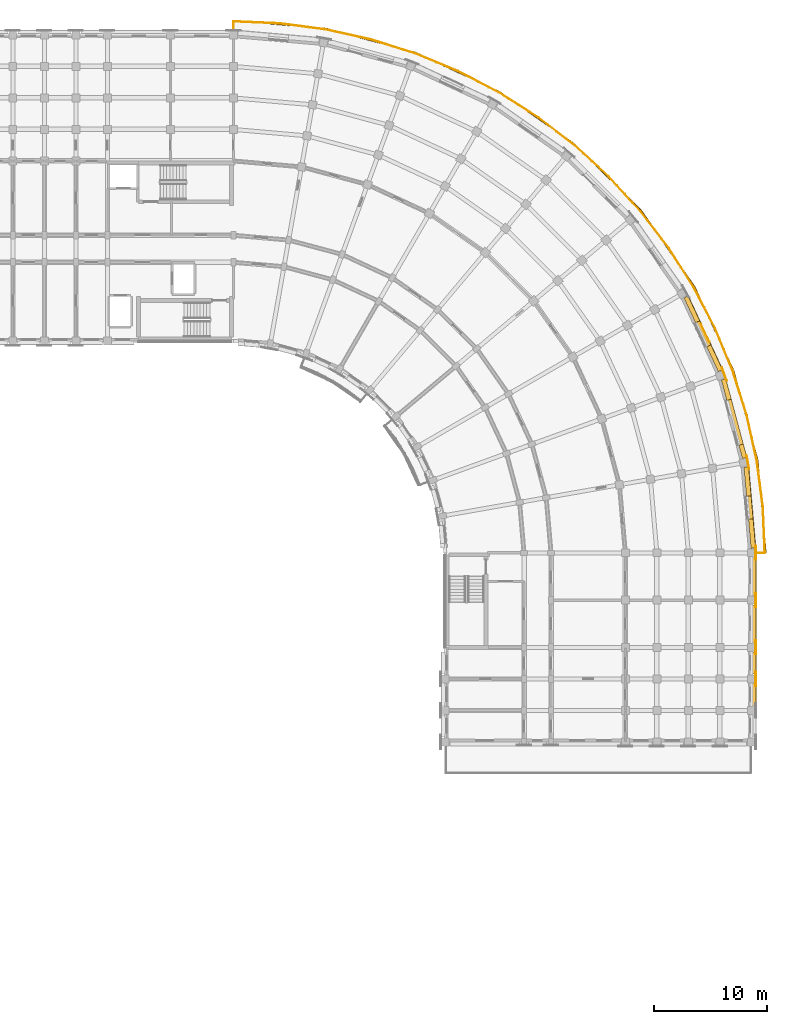
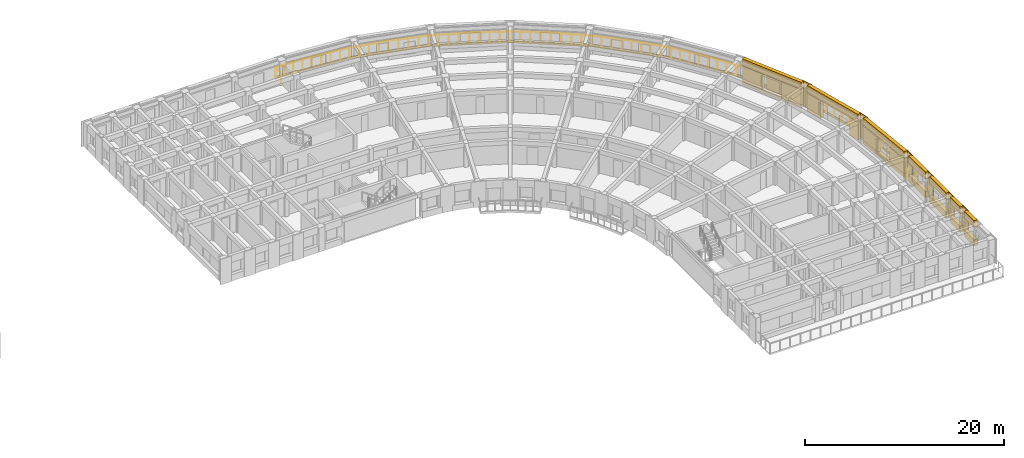
# One storey, part 53 of 54: 26 coverings, 1 railing, 1 shading device.
"""IFC4 building model written with IfcOpenShell, lengths in metres."""

import ifcopenshell
import ifcopenshell.guid

model = None  # the IFC model being written
_history = None  # IfcOwnerHistory: only IFC2X3 demands one
_inside = {}  # id of a spatial element -> (the spatial element, [elements in it])
_under = {}  # id of a project, library or spatial element -> (it, [spatial elements below it])
_declared = {}  # id of a project -> (the project, [libraries it declares])
_typed = {}  # id of a type object -> (the type object, [elements of that type])
_made_of = {}  # id of a material, layer set ... -> (it, [elements and type objects made of it])


def new_model(schema):
    """Start an empty IFC model of exactly this schema.

    Asked for "IFC4X3", IfcOpenShell would pick the latest addendum, in which some entities
    have other attributes; the version numbers below select the first issue.
    IFC2X3 requires an IfcOwnerHistory on every rooted entity: one is made here for all.
    """
    global model, _history
    if schema == "IFC4X3":
        model = ifcopenshell.file(schema_version=(4, 3, 0, 0))
    else:
        model = ifcopenshell.file(schema=schema)
    _inside.clear()
    _under.clear()
    _declared.clear()
    _typed.clear()
    _made_of.clear()
    _history = None
    if model.schema == "IFC2X3":
        org = make("IfcOrganization", Name="unknown")
        user = make(
            "IfcPersonAndOrganization",
            ThePerson=make("IfcPerson", FamilyName="unknown"),
            TheOrganization=org,
        )
        app = make(
            "IfcApplication",
            ApplicationDeveloper=org,
            Version="unknown",
            ApplicationFullName="unknown",
            ApplicationIdentifier="unknown",
        )
        _history = make(
            "IfcOwnerHistory",
            OwningUser=user,
            OwningApplication=app,
            ChangeAction="ADDED",
            CreationDate=0,
        )
    return model


def make(cls, **values):
    """One entity of the class cls with the attributes given. An attribute that is None is left unset."""
    return model.create_entity(
        cls, **{name: value for name, value in values.items() if value is not None}
    )


def rooted(cls, **values):
    """An entity with a GlobalId (a new one), such as an element, a storey or a relation."""
    return make(cls, GlobalId=ifcopenshell.guid.new(), OwnerHistory=_history, **values)


def si_unit(unit_type, name, prefix=None):
    """IfcSIUnit, for example si_unit("LENGTHUNIT", "METRE", prefix="MILLI")."""
    return make("IfcSIUnit", UnitType=unit_type, Prefix=prefix, Name=name)


def assignment(units):
    """IfcUnitAssignment: the units of a project."""
    return None if units is None else make("IfcUnitAssignment", Units=units)


def point(xyz):
    """IfcCartesianPoint."""
    return None if xyz is None else make("IfcCartesianPoint", Coordinates=xyz)


def direction(xyz):
    """IfcDirection."""
    return None if xyz is None else make("IfcDirection", DirectionRatios=xyz)


def frame(location, z_axis=None, x_axis=None):
    """IfcAxis2Placement3D, a coordinate frame: its origin and axes. An axis left out is left unset."""
    return make(
        "IfcAxis2Placement3D",
        Location=point(location),
        Axis=direction(z_axis),
        RefDirection=direction(x_axis),
    )


def frame_2d(location, x_axis=None):
    """IfcAxis2Placement2D, a coordinate frame in the plane: its origin and x axis."""
    return make(
        "IfcAxis2Placement2D", Location=point(location), RefDirection=direction(x_axis)
    )


def origin():
    """The frame at (0, 0, 0) with its axes left unset."""
    return frame((0.0, 0.0, 0.0))


def origin_2d():
    """The frame at (0, 0) in the plane with its x axis left unset."""
    return frame_2d((0.0, 0.0))


def place(relative_to, where):
    """IfcLocalPlacement: puts the frame where relative to a parent placement (None: the world)."""
    return make(
        "IfcLocalPlacement", PlacementRelTo=relative_to, RelativePlacement=where
    )


def context(
    kind, dimensions, precision=None, world=None, true_north=None, identifier=None
):
    """IfcGeometricRepresentationContext, for example the 3D "Model" context."""
    return make(
        "IfcGeometricRepresentationContext",
        ContextIdentifier=identifier,
        ContextType=kind,
        CoordinateSpaceDimension=dimensions,
        Precision=precision,
        WorldCoordinateSystem=world,
        TrueNorth=true_north,
    )


def subcontext(parent, identifier, kind, view, scale=None):
    """IfcGeometricRepresentationSubContext, for example "Body" below "Model"."""
    return make(
        "IfcGeometricRepresentationSubContext",
        ContextIdentifier=identifier,
        ContextType=kind,
        ParentContext=parent,
        TargetScale=scale,
        TargetView=view,
    )


def project(units=None, contexts=None):
    """IfcProject with its units and contexts."""
    return rooted(
        "IfcProject",
        Name="project",
        RepresentationContexts=contexts,
        UnitsInContext=assignment(units),
    )


def spatial(cls, under=None, at=None, **own):
    """A site, building, storey or space (cls), placed at a placement, below another one or the project."""
    s = rooted(cls, ObjectPlacement=at, **own)
    if under is not None:
        _under.setdefault(under.id(), (under, []))[1].append(s)
    return s


def polyline(points):
    """IfcPolyline through the points."""
    return make("IfcPolyline", Points=[point(p) for p in points])


def profile(cls, at=None, kind="AREA", **sizes):
    """A parametric profile (cls). Its sizes go by their IFC names, for example OverallWidth=200.0."""
    return make(cls, ProfileType=kind, Position=at, **sizes)


def rectangle(**sizes):
    """IfcRectangleProfileDef."""
    return profile("IfcRectangleProfileDef", **sizes)


def circle(**sizes):
    """IfcCircleProfileDef."""
    return profile("IfcCircleProfileDef", **sizes)


def outline(outer, holes=None, kind="AREA"):
    """IfcArbitraryClosedProfileDef: a profile drawn as a closed curve; with holes, ...WithVoids."""
    if holes is None:
        return make("IfcArbitraryClosedProfileDef", ProfileType=kind, OuterCurve=outer)
    return make(
        "IfcArbitraryProfileDefWithVoids",
        ProfileType=kind,
        OuterCurve=outer,
        InnerCurves=holes,
    )


def extrude(swept, where, along, depth):
    """IfcExtrudedAreaSolid: the profile swept, set in the frame where, extruded along a direction by depth."""
    return make(
        "IfcExtrudedAreaSolid",
        SweptArea=swept,
        Position=where,
        ExtrudedDirection=direction(along),
        Depth=depth,
    )


def shape(context_of_items, identifier, shape_type, items):
    """IfcShapeRepresentation: the items that make up one representation, for example the "Body"."""
    return make(
        "IfcShapeRepresentation",
        ContextOfItems=context_of_items,
        RepresentationIdentifier=identifier,
        RepresentationType=shape_type,
        Items=items,
    )


def material(Name=None, Category=None):
    """IfcMaterial."""
    return make("IfcMaterial", Name=Name, Category=Category)


def layer(
    of_material, thickness, ventilated=None, Name=None, Category=None, Priority=None
):
    """IfcMaterialLayer: one layer of a wall or slab, of a material (None: an air gap)."""
    return make(
        "IfcMaterialLayer",
        Material=of_material,
        LayerThickness=thickness,
        IsVentilated=ventilated,
        Name=Name,
        Category=Category,
        Priority=Priority,
    )


def layer_set(layers, Name=None):
    """IfcMaterialLayerSet."""
    return make("IfcMaterialLayerSet", MaterialLayers=layers, LayerSetName=Name)


def made_of(thing, what):
    """Note that an element or type object is made of a material, layer set ...; save() writes the relation."""
    if what is not None:
        _made_of.setdefault(what.id(), (what, []))[1].append(thing)
    return thing


def type_object(cls, material=None, **own):
    """A type object (cls), such as IfcWallType, which elements share."""
    return made_of(rooted(cls, **own), material)


def element(
    cls,
    number,
    at=None,
    inside=None,
    cuts=None,
    type_object=None,
    material=None,
    context=None,
    identifier="Body",
    shape_type=None,
    held_by="IfcProductDefinitionShape",
    body=None,
    shapes=None,
    **own,
):
    """One element of the class cls, such as IfcWall. Its Tag is "e" and its number.

    at: its placement. inside: the storey or other place that contains it. cuts: it is an
    opening in that element (IfcRelVoidsElement). A single representation is given by context,
    identifier, shape_type and body (its items); several are given by shapes. held_by: the class
    of the entity that holds the representations. save() writes the other relations.
    """
    e = rooted(cls, Tag="e%d" % number, ObjectPlacement=at, **own)
    if body is not None:
        shapes = [shape(context, identifier, shape_type, body)]
    if shapes is not None:
        e.Representation = make(held_by, Representations=shapes)
    if inside is not None:
        _inside.setdefault(inside.id(), (inside, []))[1].append(e)
    if cuts is not None:
        rooted(
            "IfcRelVoidsElement", RelatingBuildingElement=cuts, RelatedOpeningElement=e
        )
    if type_object is not None:
        _typed.setdefault(type_object.id(), (type_object, []))[1].append(e)
    return made_of(e, material)


def aggregate(whole, parts):
    """IfcRelAggregates: a whole, such as a stair, and the parts it consists of."""
    return rooted("IfcRelAggregates", RelatingObject=whole, RelatedObjects=parts)


def save(model, path):
    """Write the relations noted so far, then the file.

    IfcRelAggregates (storeys below a building ...), IfcRelContainedInSpatialStructure (elements
    in a storey), IfcRelDefinesByType, IfcRelAssociatesMaterial and IfcRelDeclares: one each for
    every whole, place, type object, material and project.
    """
    for whole, parts in _under.values():
        aggregate(whole, parts)
    for where, things in _inside.values():
        rooted(
            "IfcRelContainedInSpatialStructure",
            RelatedElements=things,
            RelatingStructure=where,
        )
    for kind, things in _typed.values():
        rooted("IfcRelDefinesByType", RelatedObjects=things, RelatingType=kind)
    for what, things in _made_of.values():
        rooted("IfcRelAssociatesMaterial", RelatedObjects=things, RelatingMaterial=what)
    for by, libraries in _declared.values():
        rooted("IfcRelDeclares", RelatingContext=by, RelatedDefinitions=libraries)
    model.write(path)


model = new_model("IFC4")

# Units and contexts
model_context = context("Model", 3, precision=1e-05, world=origin(), true_north=direction((0.0, 1.0)))
body_context = subcontext(model_context, "Body", "Model", "MODEL_VIEW")
ifc_project = project(units=[si_unit("LENGTHUNIT", "METRE"), si_unit("AREAUNIT", "SQUARE_METRE"), si_unit("VOLUMEUNIT", "CUBIC_METRE"), si_unit("PLANEANGLEUNIT", "RADIAN"), si_unit("MASSUNIT", "GRAM", prefix="KILO")], contexts=[model_context])

# Site, building, storey
site_placement = place(None, origin())
site = spatial("IfcSite", under=ifc_project, at=site_placement, CompositionType="ELEMENT")
building_placement = place(site_placement, origin())
building = spatial("IfcBuilding", under=site, at=building_placement, Name="Kiranvali Square Residences", CompositionType="ELEMENT")
storey_placement = place(building_placement, frame((0.0, 0.0, 27.60009765625)))
storey = spatial("IfcBuildingStorey", under=building, at=storey_placement, Name="L08", CompositionType="ELEMENT", Elevation=27.60009765625)

# Coverings
ifc_material_1 = material(Name="Carved Porbandar limestone classical entablature and cornice", Category="masonry")
ifc_layer_1 = layer(ifc_material_1, 0.072021484375)
ifc_layer_set_1 = layer_set([ifc_layer_1], Name="Carved Porbandar limestone classical entablature and cornice")
covering_type_1 = type_object("IfcCoveringType", Name="COV-CLAD-BAL", PredefinedType="CLADDING", material=ifc_layer_set_1)
covering_1_placement = place(storey_placement, frame((0.0, 0.0, -0.239990234375)))
element("IfcCovering", 1, at=covering_1_placement, inside=storey, type_object=covering_type_1, Name="Block B L08 continuous curved limestone balcony fascia", PredefinedType="CLADDING", context=body_context, shape_type="SweptSolid", body=[
    extrude(outline(polyline([(119.800048828125, 135.052001953125), (128.005126953125, 134.334228515625), (135.961181640625, 132.202392578125), (143.426025390625, 128.721435546875), (150.173095703125, 123.9970703125), (155.9970703125, 118.173095703125), (160.721435546875, 111.426025390625), (164.202392578125, 103.961181640625), (166.334228515625, 96.005126953125), (167.052001953125, 87.800048828125), (167.117919921875, 87.800048828125), (166.399169921875, 96.0166015625), (164.264404296875, 103.983642578125), (160.778564453125, 111.458984375), (156.047607421875, 118.21533203125), (150.21533203125, 124.047607421875), (143.458984375, 128.778564453125), (135.983642578125, 132.264404296875), (128.0166015625, 134.399169921875), (119.800048828125, 135.117919921875), (119.800048828125, 135.052001953125)])), origin(), (0.0, 0.0, 1.0), 0.2998046875),
])
ifc_material_2 = material(Name="Honed Porbandar limestone ashlar facade cladding", Category="masonry")
ifc_layer_2 = layer(ifc_material_2, 0.3798828125)
ifc_layer_set_2 = layer_set([ifc_layer_2], Name="Honed Porbandar limestone ashlar facade cladding")
covering_type_2 = type_object("IfcCoveringType", Name="COV-CLAD-JAMB", PredefinedType="CLADDING", material=ifc_layer_set_2)
covering_2_placement = place(storey_placement, frame((0.0, 0.0, 0.329833984375)))
element("IfcCovering", 2, at=covering_2_placement, inside=storey, type_object=covering_type_2, Name="L08 deep limestone window jamb reveal B-L08-CRV-06.L", PredefinedType="CLADDING", context=body_context, shape_type="SweptSolid", body=[
    extrude(outline(polyline([(159.806640625, 110.437744140625), (160.83544921875, 108.231689453125), (161.20654296875, 108.404541015625), (160.177734375, 110.61083984375), (159.806640625, 110.437744140625)])), origin(), (0.0, 0.0, 1.0), 1.949951171875),
])
covering_3_placement = place(storey_placement, frame((0.0, 0.0, 0.329833984375)))
element("IfcCovering", 3, at=covering_3_placement, inside=storey, type_object=covering_type_2, Name="L08 deep limestone window jamb reveal B-L08-CRV-06.R", PredefinedType="CLADDING", context=body_context, shape_type="SweptSolid", body=[
    extrude(outline(polyline([(161.82861328125, 106.101806640625), (162.857177734375, 103.895751953125), (163.228515625, 104.068603515625), (162.19970703125, 106.27490234375), (161.82861328125, 106.101806640625)])), origin(), (0.0, 0.0, 1.0), 1.949951171875),
])
covering_4_placement = place(storey_placement, origin())
element("IfcCovering", 4, at=covering_4_placement, inside=storey, type_object=covering_type_2, Name="L08 deep limestone window jamb reveal B-L08-CRV-07.L", PredefinedType="CLADDING", context=body_context, shape_type="SweptSolid", body=[
    extrude(outline(polyline([(163.1298828125, 103.146728515625), (163.615478515625, 101.334228515625), (164.010986328125, 101.440185546875), (163.525390625, 103.252685546875), (163.1298828125, 103.146728515625)])), origin(), (0.0, 0.0, 1.0), 2.179931640625),
])
covering_5_placement = place(storey_placement, origin())
element("IfcCovering", 5, at=covering_5_placement, inside=storey, type_object=covering_type_2, Name="L08 deep limestone window jamb reveal B-L08-CRV-07.R", PredefinedType="CLADDING", context=body_context, shape_type="SweptSolid", body=[
    extrude(outline(polyline([(164.6806640625, 97.359375), (164.998046875, 96.17431640625), (165.3935546875, 96.2802734375), (165.076171875, 97.46533203125), (164.6806640625, 97.359375)])), origin(), (0.0, 0.0, 1.0), 2.179931640625),
])
covering_6_placement = place(storey_placement, frame((0.0, 0.0, 0.429931640625)))
element("IfcCovering", 6, at=covering_6_placement, inside=storey, type_object=covering_type_2, Name="L08 deep limestone window jamb reveal B-L08-CRV-08.L", PredefinedType="CLADDING", context=body_context, shape_type="SweptSolid", body=[
    extrude(outline(polyline([(165.136474609375, 95.389404296875), (165.36181640625, 92.81494140625), (165.769775390625, 92.850830078125), (165.54443359375, 95.425048828125), (165.136474609375, 95.389404296875)])), origin(), (0.0, 0.0, 1.0), 1.849853515625),
])
covering_7_placement = place(storey_placement, frame((0.0, 0.0, 0.429931640625)))
element("IfcCovering", 7, at=covering_7_placement, inside=storey, type_object=covering_type_2, Name="L08 deep limestone window jamb reveal B-L08-CRV-08.R", PredefinedType="CLADDING", context=body_context, shape_type="SweptSolid", body=[
    extrude(outline(polyline([(165.54052734375, 90.77294921875), (165.765625, 88.198486328125), (166.173583984375, 88.234130859375), (165.9482421875, 90.80859375), (165.54052734375, 90.77294921875)])), origin(), (0.0, 0.0, 1.0), 1.849853515625),
])
ifc_layer_3 = layer(ifc_material_2, 0.06494140625)
ifc_layer_set_3 = layer_set([ifc_layer_3], Name="Honed Porbandar limestone ashlar facade cladding")
covering_type_3 = type_object("IfcCoveringType", Name="COV-CLAD-PIER", PredefinedType="CLADDING", material=ifc_layer_set_3)
covering_8_placement = place(storey_placement, frame((0.0, 0.0, 0.0048828125)))
element("IfcCovering", 8, at=covering_8_placement, inside=storey, type_object=covering_type_3, Name="L08 Classical limestone corner pilaster CLAD-PR-B-L08-A07", PredefinedType="CLADDING", context=body_context, shape_type="SweptSolid", body=[
    extrude(outline(polyline([(163.634033203125, 103.083984375), (163.203125, 104.267822265625), (163.1396484375, 104.244873046875), (163.57080078125, 103.060791015625), (163.634033203125, 103.083984375)])), origin(), (0.0, 0.0, 1.0), 3.14013671875),
])
covering_9_placement = place(storey_placement, frame((0.0, 0.0, 0.0048828125)))
element("IfcCovering", 9, at=covering_9_placement, inside=storey, type_object=covering_type_3, Name="L08 Classical limestone corner pilaster CLAD-PR-B-L08-A08", PredefinedType="CLADDING", context=body_context, shape_type="SweptSolid", body=[
    extrude(outline(polyline([(165.622314453125, 95.239990234375), (165.4033203125, 96.480712890625), (165.3369140625, 96.468994140625), (165.5556640625, 95.228271484375), (165.622314453125, 95.239990234375)])), origin(), (0.0, 0.0, 1.0), 3.14013671875),
])
covering_10_placement = place(storey_placement, frame((0.0, 0.0, 0.0048828125)))
element("IfcCovering", 10, at=covering_10_placement, inside=storey, type_object=covering_type_3, Name="L08 Classical limestone corner pilaster CLAD-PR-B-L08-A09", PredefinedType="CLADDING", context=body_context, shape_type="SweptSolid", body=[
    extrude(outline(polyline([(166.218017578125, 87.169921875), (166.218017578125, 88.429931640625), (166.150390625, 88.429931640625), (166.150390625, 87.169921875), (166.218017578125, 87.169921875)])), origin(), (0.0, 0.0, 1.0), 3.14013671875),
])
ifc_layer_4 = layer(ifc_material_2, 0.054931640625)
ifc_layer_set_4 = layer_set([ifc_layer_4], Name="Honed Porbandar limestone ashlar facade cladding")
covering_type_4 = type_object("IfcCoveringType", Name="COV-CLAD-PIER-UP", PredefinedType="CLADDING", material=ifc_layer_set_4)
covering_11_placement = place(storey_placement, frame((0.0, 0.0, 0.0048828125)))
element("IfcCovering", 11, at=covering_11_placement, inside=storey, type_object=covering_type_4, Name="L08 Classical limestone pilaster casing CLAD-PR-B-L08-V42", PredefinedType="CLADDING", context=body_context, shape_type="SweptSolid", body=[
    extrude(outline(polyline([(166.150390625, 84.22998046875), (166.150390625, 82.969970703125), (166.218017578125, 82.969970703125), (166.218017578125, 84.22998046875), (166.150390625, 84.22998046875)])), origin(), (0.0, 0.0, 1.0), 3.14013671875),
])
covering_12_placement = place(storey_placement, frame((0.0, 0.0, 0.0048828125)))
element("IfcCovering", 12, at=covering_12_placement, inside=storey, type_object=covering_type_4, Name="L08 Classical limestone pilaster casing CLAD-PR-B-L08-V84", PredefinedType="CLADDING", context=body_context, shape_type="SweptSolid", body=[
    extrude(outline(polyline([(166.150390625, 80.030029296875), (166.150390625, 78.77001953125), (166.218017578125, 78.77001953125), (166.218017578125, 80.030029296875), (166.150390625, 80.030029296875)])), origin(), (0.0, 0.0, 1.0), 3.14013671875),
])
covering_13_placement = place(storey_placement, frame((0.0, 0.0, 0.0048828125)))
element("IfcCovering", 13, at=covering_13_placement, inside=storey, type_object=covering_type_4, Name="L08 Classical limestone pilaster casing CLAD-PR-B-L08-V112", PredefinedType="CLADDING", context=body_context, shape_type="SweptSolid", body=[
    extrude(outline(polyline([(166.150390625, 77.22998046875), (166.150390625, 75.969970703125), (166.218017578125, 75.969970703125), (166.218017578125, 77.22998046875), (166.150390625, 77.22998046875)])), origin(), (0.0, 0.0, 1.0), 3.14013671875),
])
ifc_layer_5 = layer(ifc_material_2, 0.360107421875)
ifc_layer_set_5 = layer_set([ifc_layer_5], Name="Honed Porbandar limestone ashlar facade cladding")
covering_type_5 = type_object("IfcCoveringType", Name="COV-CLAD-WALL", PredefinedType="CLADDING", material=ifc_layer_set_5)
covering_14_placement = place(storey_placement, frame((0.0, 0.0, 2.27978515625)))
element("IfcCovering", 14, at=covering_14_placement, inside=storey, type_object=covering_type_5, Name="L08 light limestone spandrel lintel B-L08-CRV-06", PredefinedType="CLADDING", context=body_context, shape_type="SweptSolid", body=[
    extrude(outline(polyline([(159.806640625, 110.437744140625), (162.857177734375, 103.895751953125), (163.228515625, 104.068603515625), (160.177734375, 110.61083984375), (159.806640625, 110.437744140625)])), origin(), (0.0, 0.0, 1.0), 0.865234375),
])
covering_15_placement = place(storey_placement, frame((0.0, 0.0, 0.0048828125)))
element("IfcCovering", 15, at=covering_15_placement, inside=storey, type_object=covering_type_5, Name="L08 limestone window sill apron B-L08-CRV-06", PredefinedType="CLADDING", context=body_context, shape_type="SweptSolid", body=[
    extrude(outline(polyline([(159.806640625, 110.437744140625), (162.857177734375, 103.895751953125), (163.255615234375, 104.081298828125), (160.205078125, 110.62353515625), (159.806640625, 110.437744140625)])), origin(), (0.0, 0.0, 1.0), 0.324951171875),
])
covering_16_placement = place(storey_placement, frame((0.0, 0.0, 2.179931640625)))
element("IfcCovering", 16, at=covering_16_placement, inside=storey, type_object=covering_type_5, Name="L08 light limestone spandrel lintel B-L08-CRV-07", PredefinedType="CLADDING", context=body_context, shape_type="SweptSolid", body=[
    extrude(outline(polyline([(163.1298828125, 103.146728515625), (164.998046875, 96.17431640625), (165.3935546875, 96.2802734375), (163.525390625, 103.252685546875), (163.1298828125, 103.146728515625)])), origin(), (0.0, 0.0, 1.0), 0.965087890625),
])
covering_17_placement = place(storey_placement, frame((0.0, 0.0, 2.27978515625)))
element("IfcCovering", 17, at=covering_17_placement, inside=storey, type_object=covering_type_5, Name="L08 light limestone spandrel lintel B-L08-CRV-08", PredefinedType="CLADDING", context=body_context, shape_type="SweptSolid", body=[
    extrude(outline(polyline([(165.136474609375, 95.389404296875), (165.765625, 88.198486328125), (166.173583984375, 88.234130859375), (165.54443359375, 95.425048828125), (165.136474609375, 95.389404296875)])), origin(), (0.0, 0.0, 1.0), 0.865234375),
])
covering_18_placement = place(storey_placement, frame((0.0, 0.0, 0.0048828125)))
element("IfcCovering", 18, at=covering_18_placement, inside=storey, type_object=covering_type_5, Name="L08 limestone window sill apron B-L08-CRV-08", PredefinedType="CLADDING", context=body_context, shape_type="SweptSolid", body=[
    extrude(outline(polyline([(165.136474609375, 95.389404296875), (165.765625, 88.198486328125), (166.203369140625, 88.23681640625), (165.57421875, 95.427734375), (165.136474609375, 95.389404296875)])), origin(), (0.0, 0.0, 1.0), 0.425048828125),
])
covering_19_placement = place(storey_placement, frame((0.0, 0.0, 2.27978515625)))
element("IfcCovering", 19, at=covering_19_placement, inside=storey, type_object=covering_type_5, Name="L08 light limestone spandrel lintel B-L08-A2O-0", PredefinedType="CLADDING", context=body_context, shape_type="SweptSolid", body=[
    extrude(outline(polyline([(165.800537109375, 87.3798828125), (165.800537109375, 84.02001953125), (166.199951171875, 84.02001953125), (166.199951171875, 87.3798828125), (165.800537109375, 87.3798828125)])), origin(), (0.0, 0.0, 1.0), 0.865234375),
])
covering_20_placement = place(storey_placement, frame((0.0, 0.0, 0.0048828125)))
element("IfcCovering", 20, at=covering_20_placement, inside=storey, type_object=covering_type_5, Name="L08 limestone window sill apron B-L08-A2O-0", PredefinedType="CLADDING", context=body_context, shape_type="SweptSolid", body=[
    extrude(outline(polyline([(165.800537109375, 87.3798828125), (165.800537109375, 84.02001953125), (166.22998046875, 84.02001953125), (166.22998046875, 87.3798828125), (165.800537109375, 87.3798828125)])), origin(), (0.0, 0.0, 1.0), 0.77490234375),
])
covering_21_placement = place(storey_placement, frame((0.0, 0.0, 2.27978515625)))
element("IfcCovering", 21, at=covering_21_placement, inside=storey, type_object=covering_type_5, Name="L08 light limestone spandrel lintel B-L08-A2O-1", PredefinedType="CLADDING", context=body_context, shape_type="SweptSolid", body=[
    extrude(outline(polyline([(165.800537109375, 83.179931640625), (165.800537109375, 79.820068359375), (166.199951171875, 79.820068359375), (166.199951171875, 83.179931640625), (165.800537109375, 83.179931640625)])), origin(), (0.0, 0.0, 1.0), 0.865234375),
])
covering_22_placement = place(storey_placement, frame((0.0, 0.0, 0.0048828125)))
element("IfcCovering", 22, at=covering_22_placement, inside=storey, type_object=covering_type_5, Name="L08 limestone window sill apron B-L08-A2O-1", PredefinedType="CLADDING", context=body_context, shape_type="SweptSolid", body=[
    extrude(outline(polyline([(165.800537109375, 83.179931640625), (165.800537109375, 79.820068359375), (166.22998046875, 79.820068359375), (166.22998046875, 83.179931640625), (165.800537109375, 83.179931640625)])), origin(), (0.0, 0.0, 1.0), 0.77490234375),
])
covering_23_placement = place(storey_placement, frame((0.0, 0.0, 2.27978515625)))
element("IfcCovering", 23, at=covering_23_placement, inside=storey, type_object=covering_type_5, Name="L08 light limestone spandrel lintel B-L08-A2O-2", PredefinedType="CLADDING", context=body_context, shape_type="SweptSolid", body=[
    extrude(outline(polyline([(165.800537109375, 78.97998046875), (165.800537109375, 77.02001953125), (166.199951171875, 77.02001953125), (166.199951171875, 78.97998046875), (165.800537109375, 78.97998046875)])), origin(), (0.0, 0.0, 1.0), 0.865234375),
])
covering_24_placement = place(storey_placement, frame((0.0, 0.0, 0.0048828125)))
element("IfcCovering", 24, at=covering_24_placement, inside=storey, type_object=covering_type_5, Name="L08 limestone window sill apron B-L08-A2O-2", PredefinedType="CLADDING", context=body_context, shape_type="SweptSolid", body=[
    extrude(outline(polyline([(165.800537109375, 78.97998046875), (165.800537109375, 77.02001953125), (166.22998046875, 77.02001953125), (166.22998046875, 78.97998046875), (165.800537109375, 78.97998046875)])), origin(), (0.0, 0.0, 1.0), 0.77490234375),
])
covering_25_placement = place(storey_placement, frame((0.0, 0.0, 2.27978515625)))
element("IfcCovering", 25, at=covering_25_placement, inside=storey, type_object=covering_type_5, Name="L08 light limestone spandrel lintel B-L08-A2O-3", PredefinedType="CLADDING", context=body_context, shape_type="SweptSolid", body=[
    extrude(outline(polyline([(165.800537109375, 76.179931640625), (165.800537109375, 74.219970703125), (166.199951171875, 74.219970703125), (166.199951171875, 76.179931640625), (165.800537109375, 76.179931640625)])), origin(), (0.0, 0.0, 1.0), 0.865234375),
])
covering_26_placement = place(storey_placement, frame((0.0, 0.0, 0.0048828125)))
element("IfcCovering", 26, at=covering_26_placement, inside=storey, type_object=covering_type_5, Name="L08 limestone window sill apron B-L08-A2O-3", PredefinedType="CLADDING", context=body_context, shape_type="SweptSolid", body=[
    extrude(outline(polyline([(165.800537109375, 76.179931640625), (165.800537109375, 74.219970703125), (166.22998046875, 74.219970703125), (166.22998046875, 76.179931640625), (165.800537109375, 76.179931640625)])), origin(), (0.0, 0.0, 1.0), 0.77490234375),
])

# Railing
ifc_material_3 = material(Name="Powder-coated architectural bronze balustrade", Category="steel")
railing_type = type_object("IfcRailingType", Name="RL-BAL-GOLD-1200", PredefinedType="BALUSTRADE", material=ifc_material_3)
railing_placement = place(storey_placement, frame((119.800048828125, 133.840087890625, 0.0)))
element("IfcRailing", 27, at=railing_placement, inside=storey, type_object=railing_type, Name="Block B L08 continuous curved corner gold balustrade", PredefinedType="BALUSTRADE", context=body_context, shape_type="SweptSolid", body=[
    extrude(circle(Radius=0.02392578125, at=origin_2d()), frame((0.0, 0.0, 1.17578125), z_axis=(0.0, 1.0, 0.0), x_axis=(-1.0, 0.0, 0.0)), (0.0, 0.0, 1.0), 1.14990234375),
    extrude(circle(Radius=0.02392578125, at=origin_2d()), frame((0.0, 1.14990234375, 1.17578125), z_axis=(0.999049544955, -0.043589066576, 0.0), x_axis=(0.043589066576, 0.999049544955, 0.0)), (0.0, 0.0, 1.0), 4.11669921875),
    extrude(circle(Radius=0.02392578125, at=origin_2d()), frame((4.11279296875, 0.970458984375, 1.17578125), z_axis=(0.991444603928, -0.1305281477, 0.0), x_axis=(0.1305281477, 0.991444603928, 0.0)), (0.0, 0.0, 1.0), 4.11669921875),
    extrude(circle(Radius=0.02392578125, at=origin_2d()), frame((8.1943359375, 0.43310546875, 1.17578125), z_axis=(0.976292989924, -0.216453223181, 0.0), x_axis=(0.216453223181, 0.976292989924, 0.0)), (0.0, 0.0, 1.0), 4.116943359375),
    extrude(circle(Radius=0.02392578125, at=origin_2d()), frame((12.213623046875, -0.4580078125, 1.17578125), z_axis=(0.953710744932, -0.300725481131, 0.0), x_axis=(0.300725481131, 0.953710744932, 0.0)), (0.0, 0.0, 1.0), 4.116943359375),
    extrude(circle(Radius=0.02392578125, at=origin_2d()), frame((16.139892578125, -1.696044921875, 1.17578125), z_axis=(0.923880226262, -0.382681757498, 0.0), x_axis=(0.382681757498, 0.923880226262, 0.0)), (0.0, 0.0, 1.0), 4.116943359375),
    extrude(circle(Radius=0.02392578125, at=origin_2d()), frame((19.943359375, -3.271484375, 1.17578125), z_axis=(0.887013781313, -0.461742949877, 0.0), x_axis=(0.461742949877, 0.887013781313, 0.0)), (0.0, 0.0, 1.0), 4.11669921875),
    extrude(circle(Radius=0.02392578125, at=origin_2d()), frame((23.594970703125, -5.17236328125, 1.17578125), z_axis=(0.843402550976, -0.537282176335, 0.0), x_axis=(0.537282176335, 0.843402550976, 0.0)), (0.0, 0.0, 1.0), 4.116943359375),
    extrude(circle(Radius=0.02392578125, at=origin_2d()), frame((27.067138671875, -7.38427734375, 1.17578125), z_axis=(0.793339967331, -0.608778856594, 0.0), x_axis=(0.608778856594, 0.793339967331, 0.0)), (0.0, 0.0, 1.0), 4.11669921875),
    extrude(circle(Radius=0.02392578125, at=origin_2d()), frame((30.3330078125, -9.890380859375, 1.17578125), z_axis=(0.737299356654, -0.675566176386, 0.0), x_axis=(0.675566176386, 0.737299356654, 0.0)), (0.0, 0.0, 1.0), 4.116943359375),
    extrude(circle(Radius=0.02392578125, at=origin_2d()), frame((33.368408203125, -12.671630859375, 1.17578125), z_axis=(0.675566176386, -0.737299356654, 0.0), x_axis=(0.737299356654, 0.675566176386, 0.0)), (0.0, 0.0, 1.0), 4.116943359375),
    extrude(circle(Radius=0.02392578125, at=origin_2d()), frame((36.149658203125, -15.70703125, 1.17578125), z_axis=(0.608778856594, -0.793339967331, 0.0), x_axis=(0.793339967331, 0.608778856594, 0.0)), (0.0, 0.0, 1.0), 4.11669921875),
    extrude(circle(Radius=0.02392578125, at=origin_2d()), frame((38.65576171875, -18.972900390625, 1.17578125), z_axis=(0.537282176335, -0.843402550976, 0.0), x_axis=(0.843402550976, 0.537282176335, 0.0)), (0.0, 0.0, 1.0), 4.116943359375),
    extrude(circle(Radius=0.02392578125, at=origin_2d()), frame((40.86767578125, -22.445068359375, 1.17578125), z_axis=(0.461742949877, -0.887013781313, 0.0), x_axis=(0.887013781313, 0.461742949877, 0.0)), (0.0, 0.0, 1.0), 4.11669921875),
    extrude(circle(Radius=0.02392578125, at=origin_2d()), frame((42.7685546875, -26.0966796875, 1.17578125), z_axis=(0.382681757498, -0.923880226262, 0.0), x_axis=(0.923880226262, 0.382681757498, 0.0)), (0.0, 0.0, 1.0), 4.116943359375),
    extrude(circle(Radius=0.02392578125, at=origin_2d()), frame((44.343994140625, -29.900146484375, 1.17578125), z_axis=(0.300725481131, -0.953710744932, 0.0), x_axis=(0.953710744932, 0.300725481131, 0.0)), (0.0, 0.0, 1.0), 4.116943359375),
    extrude(circle(Radius=0.02392578125, at=origin_2d()), frame((45.58203125, -33.826416015625, 1.17578125), z_axis=(0.216453223181, -0.976292989924, 0.0), x_axis=(0.976292989924, 0.216453223181, 0.0)), (0.0, 0.0, 1.0), 4.116943359375),
    extrude(circle(Radius=0.02392578125, at=origin_2d()), frame((46.47314453125, -37.845703125, 1.17578125), z_axis=(0.1305281477, -0.991444603928, 0.0), x_axis=(0.991444603928, 0.1305281477, 0.0)), (0.0, 0.0, 1.0), 4.11669921875),
    extrude(circle(Radius=0.02392578125, at=origin_2d()), frame((47.010498046875, -41.92724609375, 1.17578125), z_axis=(0.043589066576, -0.999049544955, 0.0), x_axis=(0.999049544955, 0.043589066576, 0.0)), (0.0, 0.0, 1.0), 4.11669921875),
    extrude(circle(Radius=0.02392578125, at=origin_2d()), frame((47.18994140625, -46.0400390625, 1.17578125), z_axis=(-1.0, 0.0, 0.0), x_axis=(0.0, -1.0, 0.0)), (0.0, 0.0, 1.0), 1.14990234375),
    extrude(circle(Radius=0.02099609375, at=origin_2d()), origin(), (0.0, 0.0, 1.0), 1.15185546875),
    extrude(circle(Radius=0.02099609375, at=origin_2d()), frame((0.0, 1.14990234375, 0.0)), (0.0, 0.0, 1.0), 1.15185546875),
    extrude(circle(Radius=0.02099609375, at=origin_2d()), frame((1.0283203125, 1.10498046875, 0.0)), (0.0, 0.0, 1.0), 1.15185546875),
    extrude(circle(Radius=0.02099609375, at=origin_2d()), frame((2.056396484375, 1.06005859375, 0.0)), (0.0, 0.0, 1.0), 1.15185546875),
    extrude(circle(Radius=0.02099609375, at=origin_2d()), frame((3.08447265625, 1.015380859375, 0.0)), (0.0, 0.0, 1.0), 1.15185546875),
    extrude(circle(Radius=0.02099609375, at=origin_2d()), frame((4.11279296875, 0.970458984375, 0.0)), (0.0, 0.0, 1.0), 1.15185546875),
    extrude(circle(Radius=0.02099609375, at=origin_2d()), frame((5.13330078125, 0.836181640625, 0.0)), (0.0, 0.0, 1.0), 1.15185546875),
    extrude(circle(Radius=0.02099609375, at=origin_2d()), frame((6.153564453125, 0.70166015625, 0.0)), (0.0, 0.0, 1.0), 1.15185546875),
    extrude(circle(Radius=0.02099609375, at=origin_2d()), frame((7.173828125, 0.5673828125, 0.0)), (0.0, 0.0, 1.0), 1.15185546875),
    extrude(circle(Radius=0.02099609375, at=origin_2d()), frame((8.1943359375, 0.43310546875, 0.0)), (0.0, 0.0, 1.0), 1.15185546875),
    extrude(circle(Radius=0.02099609375, at=origin_2d()), frame((9.19921875, 0.21044921875, 0.0)), (0.0, 0.0, 1.0), 1.15185546875),
    extrude(circle(Radius=0.02099609375, at=origin_2d()), frame((10.2041015625, -0.012451171875, 0.0)), (0.0, 0.0, 1.0), 1.15185546875),
    extrude(circle(Radius=0.02099609375, at=origin_2d()), frame((11.208740234375, -0.2353515625, 0.0)), (0.0, 0.0, 1.0), 1.15185546875),
    extrude(circle(Radius=0.02099609375, at=origin_2d()), frame((12.213623046875, -0.4580078125, 0.0)), (0.0, 0.0, 1.0), 1.15185546875),
    extrude(circle(Radius=0.02099609375, at=origin_2d()), frame((13.1953125, -0.767578125, 0.0)), (0.0, 0.0, 1.0), 1.15185546875),
    extrude(circle(Radius=0.02099609375, at=origin_2d()), frame((14.1767578125, -1.0771484375, 0.0)), (0.0, 0.0, 1.0), 1.15185546875),
    extrude(circle(Radius=0.02099609375, at=origin_2d()), frame((15.158203125, -1.386474609375, 0.0)), (0.0, 0.0, 1.0), 1.15185546875),
    extrude(circle(Radius=0.02099609375, at=origin_2d()), frame((16.139892578125, -1.696044921875, 0.0)), (0.0, 0.0, 1.0), 1.15185546875),
    extrude(circle(Radius=0.02099609375, at=origin_2d()), frame((17.0908203125, -2.08984375, 0.0)), (0.0, 0.0, 1.0), 1.15185546875),
    extrude(circle(Radius=0.02099609375, at=origin_2d()), frame((18.04150390625, -2.48388671875, 0.0)), (0.0, 0.0, 1.0), 1.15185546875),
    extrude(circle(Radius=0.02099609375, at=origin_2d()), frame((18.992431640625, -2.877685546875, 0.0)), (0.0, 0.0, 1.0), 1.15185546875),
    extrude(circle(Radius=0.02099609375, at=origin_2d()), frame((19.943359375, -3.271484375, 0.0)), (0.0, 0.0, 1.0), 1.15185546875),
    extrude(circle(Radius=0.02099609375, at=origin_2d()), frame((20.856201171875, -3.74658203125, 0.0)), (0.0, 0.0, 1.0), 1.15185546875),
    extrude(circle(Radius=0.02099609375, at=origin_2d()), frame((21.76904296875, -4.221923828125, 0.0)), (0.0, 0.0, 1.0), 1.15185546875),
    extrude(circle(Radius=0.02099609375, at=origin_2d()), frame((22.68212890625, -4.697265625, 0.0)), (0.0, 0.0, 1.0), 1.15185546875),
    extrude(circle(Radius=0.02099609375, at=origin_2d()), frame((23.594970703125, -5.17236328125, 0.0)), (0.0, 0.0, 1.0), 1.15185546875),
    extrude(circle(Radius=0.02099609375, at=origin_2d()), frame((24.462890625, -5.725341796875, 0.0)), (0.0, 0.0, 1.0), 1.15185546875),
    extrude(circle(Radius=0.02099609375, at=origin_2d()), frame((25.3310546875, -6.2783203125, 0.0)), (0.0, 0.0, 1.0), 1.15185546875),
    extrude(circle(Radius=0.02099609375, at=origin_2d()), frame((26.19921875, -6.831298828125, 0.0)), (0.0, 0.0, 1.0), 1.15185546875),
    extrude(circle(Radius=0.02099609375, at=origin_2d()), frame((27.067138671875, -7.38427734375, 0.0)), (0.0, 0.0, 1.0), 1.15185546875),
    extrude(circle(Radius=0.02099609375, at=origin_2d()), frame((27.883544921875, -8.0107421875, 0.0)), (0.0, 0.0, 1.0), 1.15185546875),
    extrude(circle(Radius=0.02099609375, at=origin_2d()), frame((28.7001953125, -8.63720703125, 0.0)), (0.0, 0.0, 1.0), 1.15185546875),
    extrude(circle(Radius=0.02099609375, at=origin_2d()), frame((29.5166015625, -9.263916015625, 0.0)), (0.0, 0.0, 1.0), 1.15185546875),
    extrude(circle(Radius=0.02099609375, at=origin_2d()), frame((30.3330078125, -9.890380859375, 0.0)), (0.0, 0.0, 1.0), 1.15185546875),
    extrude(circle(Radius=0.02099609375, at=origin_2d()), frame((31.091796875, -10.585693359375, 0.0)), (0.0, 0.0, 1.0), 1.15185546875),
    extrude(circle(Radius=0.02099609375, at=origin_2d()), frame((31.8505859375, -11.281005859375, 0.0)), (0.0, 0.0, 1.0), 1.15185546875),
    extrude(circle(Radius=0.02099609375, at=origin_2d()), frame((32.609619140625, -11.976318359375, 0.0)), (0.0, 0.0, 1.0), 1.15185546875),
    extrude(circle(Radius=0.02099609375, at=origin_2d()), frame((33.368408203125, -12.671630859375, 0.0)), (0.0, 0.0, 1.0), 1.15185546875),
    extrude(circle(Radius=0.02099609375, at=origin_2d()), frame((34.063720703125, -13.430419921875, 0.0)), (0.0, 0.0, 1.0), 1.15185546875),
    extrude(circle(Radius=0.02099609375, at=origin_2d()), frame((34.759033203125, -14.189453125, 0.0)), (0.0, 0.0, 1.0), 1.15185546875),
    extrude(circle(Radius=0.02099609375, at=origin_2d()), frame((35.454345703125, -14.9482421875, 0.0)), (0.0, 0.0, 1.0), 1.15185546875),
    extrude(circle(Radius=0.02099609375, at=origin_2d()), frame((36.149658203125, -15.70703125, 0.0)), (0.0, 0.0, 1.0), 1.15185546875),
    extrude(circle(Radius=0.02099609375, at=origin_2d()), frame((36.776123046875, -16.5234375, 0.0)), (0.0, 0.0, 1.0), 1.15185546875),
    extrude(circle(Radius=0.02099609375, at=origin_2d()), frame((37.40283203125, -17.33984375, 0.0)), (0.0, 0.0, 1.0), 1.15185546875),
    extrude(circle(Radius=0.02099609375, at=origin_2d()), frame((38.029296875, -18.156494140625, 0.0)), (0.0, 0.0, 1.0), 1.15185546875),
    extrude(circle(Radius=0.02099609375, at=origin_2d()), frame((38.65576171875, -18.972900390625, 0.0)), (0.0, 0.0, 1.0), 1.15185546875),
    extrude(circle(Radius=0.02099609375, at=origin_2d()), frame((39.208740234375, -19.8408203125, 0.0)), (0.0, 0.0, 1.0), 1.15185546875),
    extrude(circle(Radius=0.02099609375, at=origin_2d()), frame((39.76171875, -20.708984375, 0.0)), (0.0, 0.0, 1.0), 1.15185546875),
    extrude(circle(Radius=0.02099609375, at=origin_2d()), frame((40.314697265625, -21.5771484375, 0.0)), (0.0, 0.0, 1.0), 1.15185546875),
    extrude(circle(Radius=0.02099609375, at=origin_2d()), frame((40.86767578125, -22.445068359375, 0.0)), (0.0, 0.0, 1.0), 1.15185546875),
    extrude(circle(Radius=0.02099609375, at=origin_2d()), frame((41.3427734375, -23.35791015625, 0.0)), (0.0, 0.0, 1.0), 1.15185546875),
    extrude(circle(Radius=0.02099609375, at=origin_2d()), frame((41.818115234375, -24.27099609375, 0.0)), (0.0, 0.0, 1.0), 1.15185546875),
    extrude(circle(Radius=0.02099609375, at=origin_2d()), frame((42.29345703125, -25.183837890625, 0.0)), (0.0, 0.0, 1.0), 1.15185546875),
    extrude(circle(Radius=0.02099609375, at=origin_2d()), frame((42.7685546875, -26.0966796875, 0.0)), (0.0, 0.0, 1.0), 1.15185546875),
    extrude(circle(Radius=0.02099609375, at=origin_2d()), frame((43.162353515625, -27.047607421875, 0.0)), (0.0, 0.0, 1.0), 1.15185546875),
    extrude(circle(Radius=0.02099609375, at=origin_2d()), frame((43.55615234375, -27.99853515625, 0.0)), (0.0, 0.0, 1.0), 1.15185546875),
    extrude(circle(Radius=0.02099609375, at=origin_2d()), frame((43.9501953125, -28.94921875, 0.0)), (0.0, 0.0, 1.0), 1.15185546875),
    extrude(circle(Radius=0.02099609375, at=origin_2d()), frame((44.343994140625, -29.900146484375, 0.0)), (0.0, 0.0, 1.0), 1.15185546875),
    extrude(circle(Radius=0.02099609375, at=origin_2d()), frame((44.653564453125, -30.8818359375, 0.0)), (0.0, 0.0, 1.0), 1.15185546875),
    extrude(circle(Radius=0.02099609375, at=origin_2d()), frame((44.962890625, -31.86328125, 0.0)), (0.0, 0.0, 1.0), 1.15185546875),
    extrude(circle(Radius=0.02099609375, at=origin_2d()), frame((45.2724609375, -32.8447265625, 0.0)), (0.0, 0.0, 1.0), 1.15185546875),
    extrude(circle(Radius=0.02099609375, at=origin_2d()), frame((45.58203125, -33.826416015625, 0.0)), (0.0, 0.0, 1.0), 1.15185546875),
    extrude(circle(Radius=0.02099609375, at=origin_2d()), frame((45.8046875, -34.831298828125, 0.0)), (0.0, 0.0, 1.0), 1.15185546875),
    extrude(circle(Radius=0.02099609375, at=origin_2d()), frame((46.027587890625, -35.8359375, 0.0)), (0.0, 0.0, 1.0), 1.15185546875),
    extrude(circle(Radius=0.02099609375, at=origin_2d()), frame((46.25048828125, -36.8408203125, 0.0)), (0.0, 0.0, 1.0), 1.15185546875),
    extrude(circle(Radius=0.02099609375, at=origin_2d()), frame((46.47314453125, -37.845703125, 0.0)), (0.0, 0.0, 1.0), 1.15185546875),
    extrude(circle(Radius=0.02099609375, at=origin_2d()), frame((46.607421875, -38.8662109375, 0.0)), (0.0, 0.0, 1.0), 1.15185546875),
    extrude(circle(Radius=0.02099609375, at=origin_2d()), frame((46.74169921875, -39.886474609375, 0.0)), (0.0, 0.0, 1.0), 1.15185546875),
    extrude(circle(Radius=0.02099609375, at=origin_2d()), frame((46.876220703125, -40.90673828125, 0.0)), (0.0, 0.0, 1.0), 1.15185546875),
    extrude(circle(Radius=0.02099609375, at=origin_2d()), frame((47.010498046875, -41.92724609375, 0.0)), (0.0, 0.0, 1.0), 1.15185546875),
    extrude(circle(Radius=0.02099609375, at=origin_2d()), frame((47.055419921875, -42.95556640625, 0.0)), (0.0, 0.0, 1.0), 1.15185546875),
    extrude(circle(Radius=0.02099609375, at=origin_2d()), frame((47.10009765625, -43.983642578125, 0.0)), (0.0, 0.0, 1.0), 1.15185546875),
    extrude(circle(Radius=0.02099609375, at=origin_2d()), frame((47.14501953125, -45.01171875, 0.0)), (0.0, 0.0, 1.0), 1.15185546875),
    extrude(circle(Radius=0.02099609375, at=origin_2d()), frame((47.18994140625, -46.0400390625, 0.0)), (0.0, 0.0, 1.0), 1.15185546875),
    extrude(circle(Radius=0.02099609375, at=origin_2d()), frame((46.0400390625, -46.0400390625, 0.0)), (0.0, 0.0, 1.0), 1.15185546875),
])

# Shading device
ifc_material_4 = material(Name="Pierced buff sandstone architectural mashrabiya solar screen", Category="masonry")
shading_device_type = type_object("IfcShadingDeviceType", Name="SHD-JALI-2400", PredefinedType="JALOUSIE", material=ifc_material_4)
shading_device_placement = place(storey_placement, frame((161.68505859375, 107.331298828125, 0.330078125), z_axis=(0.0, 0.0, 1.0), x_axis=(0.422618261741, -0.906307787037, 0.0)))
element("IfcShadingDevice", 28, at=shading_device_placement, inside=storey, type_object=shading_device_type, Name="L08 carved stone Mashrabiya screen B-L08-CRV-06", PredefinedType="JALOUSIE", context=body_context, shape_type="SweptSolid", body=[
    extrude(rectangle(XDim=1.800048828125, YDim=0.044921875, at=origin_2d()), origin(), (0.0, 0.0, 1.0), 1.949951171875),
])

save(model, "model.ifc")
